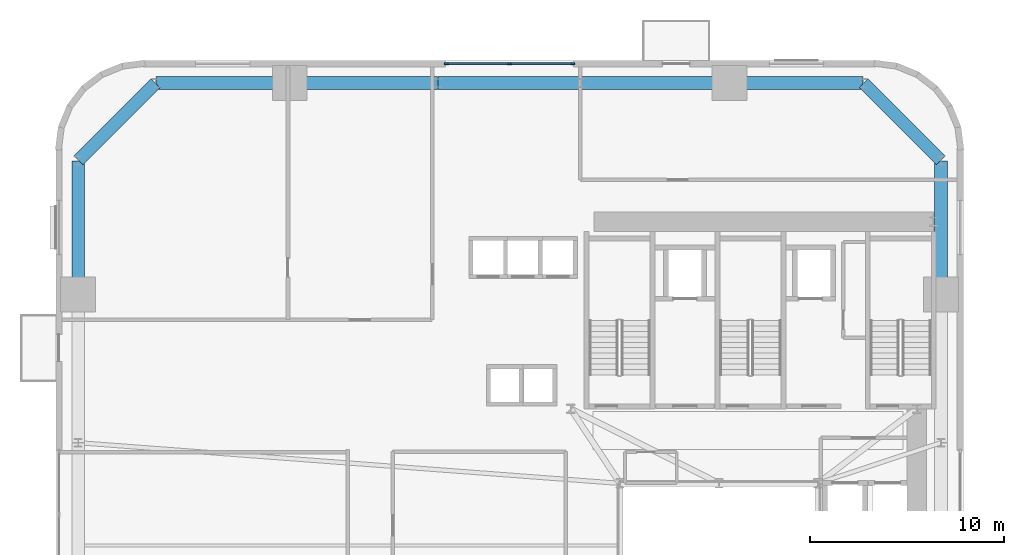
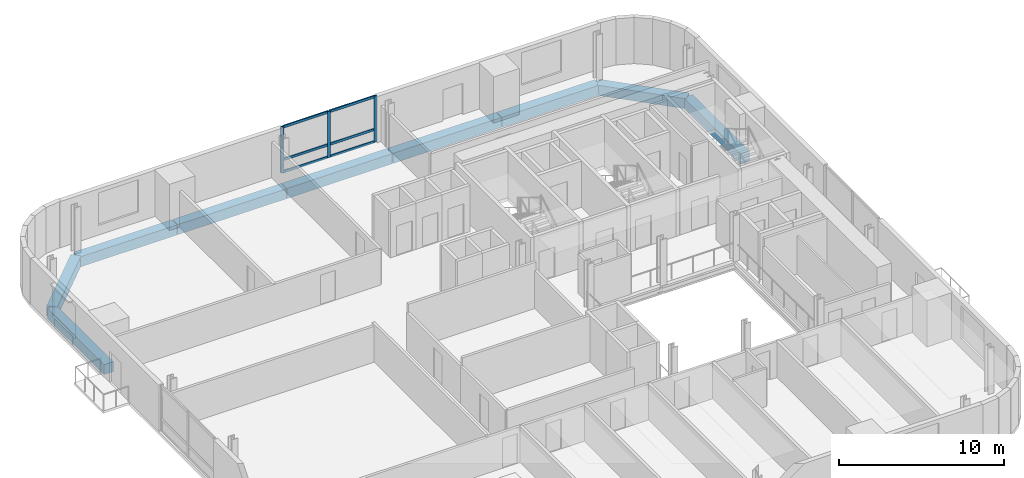
# One storey, part 4 of 13: 9 beams, 9 members, 1 element without a shape of its own.
"""IFC4 building model written with IfcOpenShell, lengths in metres."""

from ifc_helpers import new_model, si_unit, direction, frame, origin, origin_2d, place, context, subcontext, project, spatial, rectangle, extrude, source, transform, mapped, material, material_profile, profile_set, type_object, element, aggregate, save


model = new_model("IFC4")

# Units and contexts
model_context = context("Model", 3, precision=1e-05, world=origin(), true_north=direction((0.0, 1.0)))
body_context = subcontext(model_context, "Body", "Model", "MODEL_VIEW")
ifc_project = project(units=[si_unit("LENGTHUNIT", "METRE"), si_unit("AREAUNIT", "SQUARE_METRE"), si_unit("VOLUMEUNIT", "CUBIC_METRE"), si_unit("PLANEANGLEUNIT", "RADIAN"), si_unit("MASSUNIT", "GRAM", prefix="KILO")], contexts=[model_context])

# Site, building, storey
site_placement = place(None, origin())
site = spatial("IfcSite", under=ifc_project, at=site_placement, CompositionType="ELEMENT")
building_placement = place(site_placement, origin())
building = spatial("IfcBuilding", under=site, at=building_placement, Name="Vardaveli Station Tower", CompositionType="ELEMENT")
storey_placement = place(building_placement, frame((0.0, 0.0, 86.0)))
storey = spatial("IfcBuildingStorey", under=building, at=storey_placement, Name="L22", CompositionType="ELEMENT", Elevation=86.0)

# Beams
ifc_material_1 = material(Name="Precast concrete C45/55", Category="concrete")
ifc_material_profile_1 = material_profile(ifc_material_1, rectangle(XDim=0.64990234375, YDim=0.75, at=origin_2d()), Name="LPB 650x750")
ifc_profile_set_1 = profile_set([ifc_material_profile_1], Name="Precast concrete C45/55")
beam_type = type_object("IfcBeamType", Name="BM-LPB-750", PredefinedType="BEAM", material=ifc_profile_set_1)
shared_shape_1 = source(origin(), body_context, "Body", "SweptSolid", [
    extrude(rectangle(XDim=0.64990234375, YDim=0.75, at=origin_2d()), origin(), (0.0, 0.0, 1.0), 7.60009765625),
])
for number, where, z_axis, x_axis, name in (
    (1, (36.820068359375, 47.449951171875, -0.614990234375), (-1.0, 0.0, 0.0), (0.0, -1.0, 0.0), "RBM-L22-13"),
    (2, (21.780029296875, 47.449951171875, -0.614990234375), (-1.0, 0.0, 0.0), (0.0, -1.0, 0.0), "RBM-L22-15"),
):
    element("IfcBeam", number, at=place(storey_placement, frame(where, z_axis=z_axis, x_axis=x_axis)), inside=storey, type_object=beam_type, Name=name, PredefinedType="BEAM", context=body_context, shape_type="MappedRepresentation", body=[
        mapped(shared_shape_1, transform((0.0, 0.0, 0.0), scale=1.0)),
    ])
shared_shape_2 = source(origin(), body_context, "Body", "SweptSolid", [
    extrude(rectangle(XDim=0.64990234375, YDim=0.75, at=origin_2d()), origin(), (0.0, 0.0, 1.0), 7.35986328125),
])
beam_placement = place(storey_placement, frame((29.179931640625, 47.449951171875, -0.614990234375), z_axis=(-1.0, 0.0, 0.0), x_axis=(0.0, -1.0, 0.0)))
element("IfcBeam", 3, at=beam_placement, inside=storey, type_object=beam_type, Name="RBM-L22-14", PredefinedType="BEAM", context=body_context, shape_type="MappedRepresentation", body=[
    mapped(shared_shape_2, transform((0.0, 0.0, 0.0), scale=1.0)),
])
shared_shape_3 = source(origin(), body_context, "Body", "SweptSolid", [
    extrude(rectangle(XDim=0.64990234375, YDim=0.75, at=origin_2d()), origin(), (0.0, 0.0, 1.0), 6.869873046875),
])
for number, where, z_axis, x_axis, name in (
    (4, (47.75, 36.56005859375, -0.614990234375), (0.0, 1.0, 0.0), (-1.0, 0.0, 0.0), "RBM-L22-10"),
    (5, (43.72998046875, 47.449951171875, -0.614990234375), (-1.0, 0.0, 0.0), (0.0, -1.0, 0.0), "RBM-L22-12"),
    (6, (14.139892578125, 47.449951171875, -0.614990234375), (-1.0, 0.0, 0.0), (0.0, -1.0, 0.0), "RBM-L22-16"),
    (7, (3.25, 43.429931640625, -0.614990234375), (0.0, -1.0, 0.0), (1.0, 0.0, 0.0), "RBM-L22-18"),
):
    element("IfcBeam", number, at=place(storey_placement, frame(where, z_axis=z_axis, x_axis=x_axis)), inside=storey, type_object=beam_type, Name=name, PredefinedType="BEAM", context=body_context, shape_type="MappedRepresentation", body=[
        mapped(shared_shape_3, transform((0.0, 0.0, 0.0), scale=1.0)),
    ])
shared_shape_4 = source(origin(), body_context, "Body", "SweptSolid", [
    extrude(rectangle(XDim=0.64990234375, YDim=0.75, at=origin_2d()), origin(), (0.0, 0.0, 1.0), 5.61669921875),
])
for number, where, z_axis, x_axis, name in (
    (8, (47.73583984375, 43.464111328125, -0.614990234375), (-0.707106781187, 0.707106781187, 0.0), (-0.707106781187, -0.707106781187, 0.0), "RBM-L22-11"),
    (9, (7.23583984375, 47.435791015625, -0.614990234375), (-0.707106781187, -0.707106781187, 0.0), (0.707106781187, -0.707106781187, 0.0), "RBM-L22-17"),
):
    element("IfcBeam", number, at=place(storey_placement, frame(where, z_axis=z_axis, x_axis=x_axis)), inside=storey, type_object=beam_type, Name=name, PredefinedType="BEAM", context=body_context, shape_type="MappedRepresentation", body=[
        mapped(shared_shape_4, transform((0.0, 0.0, 0.0), scale=1.0)),
    ])

# Curtain wall, members
ifc_material_2 = material(Name="Travertine stone and solar-control glass", Category="masonry")
curtain_wall_type = type_object("IfcCurtainWallType", Name="CW-SYS-2", PredefinedType="NOTDEFINED", material=ifc_material_2)
curtain_wall_placement = place(storey_placement, origin())
curtain_wall = element("IfcCurtainWall", 10, at=curtain_wall_placement, inside=storey, type_object=curtain_wall_type, Name="CW-L22-N", PredefinedType="NOTDEFINED")
ifc_material_3 = material(Name="Anodised aluminium alloy 6063-T6", Category="aluminium")
ifc_material_profile_2 = material_profile(ifc_material_3, rectangle(XDim=0.0849609375, YDim=0.219970703125, at=origin_2d()), Name="CWM 85x220")
ifc_profile_set_2 = profile_set([ifc_material_profile_2], Name="Anodised aluminium alloy 6063-T6")
member_type_1 = type_object("IfcMemberType", Name="CW-SYS-2-MULL", PredefinedType="MULLION", material=ifc_profile_set_2)
shared_shape_5 = source(origin(), body_context, "Body", "SweptSolid", [
    extrude(rectangle(XDim=0.0849609375, YDim=0.219970703125, at=origin_2d()), origin(), (0.0, 0.0, 1.0), 3.409912109375),
])
member_1_placement = place(storey_placement, frame((28.757568359375, 48.43994140625, 0.0), z_axis=(0.0, 0.0, 1.0), x_axis=(0.0, -1.0, 0.0)))
member_1 = element("IfcMember", 11, at=member_1_placement, type_object=member_type_1, Name="CW-2 mullion 1", PredefinedType="MULLION", context=body_context, shape_type="MappedRepresentation", body=[
    mapped(shared_shape_5, transform((0.0, 0.0, 0.0), scale=1.0)),
])
member_2_placement = place(storey_placement, frame((25.5, 48.43994140625, 0.0), z_axis=(0.0, 0.0, 1.0), x_axis=(0.0, -1.0, 0.0)))
member_2 = element("IfcMember", 12, at=member_2_placement, type_object=member_type_1, Name="CW-2 mullion 2", PredefinedType="MULLION", context=body_context, shape_type="MappedRepresentation", body=[
    mapped(shared_shape_5, transform((0.0, 0.0, 0.0), scale=1.0)),
])
member_3_placement = place(storey_placement, frame((22.242431640625, 48.43994140625, 0.0), z_axis=(0.0, 0.0, 1.0), x_axis=(0.0, -1.0, 0.0)))
member_3 = element("IfcMember", 13, at=member_3_placement, type_object=member_type_1, Name="CW-2 mullion 3", PredefinedType="MULLION", context=body_context, shape_type="MappedRepresentation", body=[
    mapped(shared_shape_5, transform((0.0, 0.0, 0.0), scale=1.0)),
])
ifc_material_profile_3 = material_profile(ifc_material_3, rectangle(XDim=0.0849609375, YDim=0.179931640625, at=origin_2d()), Name="CWT 85x180")
ifc_profile_set_3 = profile_set([ifc_material_profile_3], Name="Anodised aluminium alloy 6063-T6")
member_type_2 = type_object("IfcMemberType", Name="CW-SYS-2-TRAN", PredefinedType="NOTDEFINED", material=ifc_profile_set_3)
shared_shape_6 = source(origin(), body_context, "Body", "SweptSolid", [
    extrude(rectangle(XDim=0.0849609375, YDim=0.179931640625, at=origin_2d()), origin(), (0.0, 0.0, 1.0), 3.172607421875),
])
member_4_placement = place(storey_placement, frame((28.715087890625, 48.43994140625, 0.04248046875), z_axis=(-1.0, 0.0, 0.0), x_axis=(0.0, -1.0, 0.0)))
member_4 = element("IfcMember", 14, at=member_4_placement, type_object=member_type_2, Name="CW-2 transom 1.1", ObjectType="TRANSOM", PredefinedType="USERDEFINED", context=body_context, shape_type="MappedRepresentation", body=[
    mapped(shared_shape_6, transform((0.0, 0.0, 0.0), scale=1.0)),
])
member_5_placement = place(storey_placement, frame((28.715087890625, 48.43994140625, 0.949951171875), z_axis=(-1.0, 0.0, 0.0), x_axis=(0.0, -1.0, 0.0)))
member_5 = element("IfcMember", 15, at=member_5_placement, type_object=member_type_2, Name="CW-2 transom 1.2", ObjectType="TRANSOM", PredefinedType="USERDEFINED", context=body_context, shape_type="MappedRepresentation", body=[
    mapped(shared_shape_6, transform((0.0, 0.0, 0.0), scale=1.0)),
])
member_6_placement = place(storey_placement, frame((28.715087890625, 48.43994140625, 3.367431640625), z_axis=(-1.0, 0.0, 0.0), x_axis=(0.0, -1.0, 0.0)))
member_6 = element("IfcMember", 16, at=member_6_placement, type_object=member_type_2, Name="CW-2 transom 1.3", ObjectType="TRANSOM", PredefinedType="USERDEFINED", context=body_context, shape_type="MappedRepresentation", body=[
    mapped(shared_shape_6, transform((0.0, 0.0, 0.0), scale=1.0)),
])
member_7_placement = place(storey_placement, frame((25.45751953125, 48.43994140625, 0.04248046875), z_axis=(-1.0, 0.0, 0.0), x_axis=(0.0, -1.0, 0.0)))
member_7 = element("IfcMember", 17, at=member_7_placement, type_object=member_type_2, Name="CW-2 transom 2.1", ObjectType="TRANSOM", PredefinedType="USERDEFINED", context=body_context, shape_type="MappedRepresentation", body=[
    mapped(shared_shape_6, transform((0.0, 0.0, 0.0), scale=1.0)),
])
member_8_placement = place(storey_placement, frame((25.45751953125, 48.43994140625, 0.949951171875), z_axis=(-1.0, 0.0, 0.0), x_axis=(0.0, -1.0, 0.0)))
member_8 = element("IfcMember", 18, at=member_8_placement, type_object=member_type_2, Name="CW-2 transom 2.2", ObjectType="TRANSOM", PredefinedType="USERDEFINED", context=body_context, shape_type="MappedRepresentation", body=[
    mapped(shared_shape_6, transform((0.0, 0.0, 0.0), scale=1.0)),
])
member_9_placement = place(storey_placement, frame((25.45751953125, 48.43994140625, 3.367431640625), z_axis=(-1.0, 0.0, 0.0), x_axis=(0.0, -1.0, 0.0)))
member_9 = element("IfcMember", 19, at=member_9_placement, type_object=member_type_2, Name="CW-2 transom 2.3", ObjectType="TRANSOM", PredefinedType="USERDEFINED", context=body_context, shape_type="MappedRepresentation", body=[
    mapped(shared_shape_6, transform((0.0, 0.0, 0.0), scale=1.0)),
])
aggregate(curtain_wall, [member_1, member_2, member_3, member_4, member_5, member_6, member_7, member_8, member_9])

save(model, "model.ifc")
